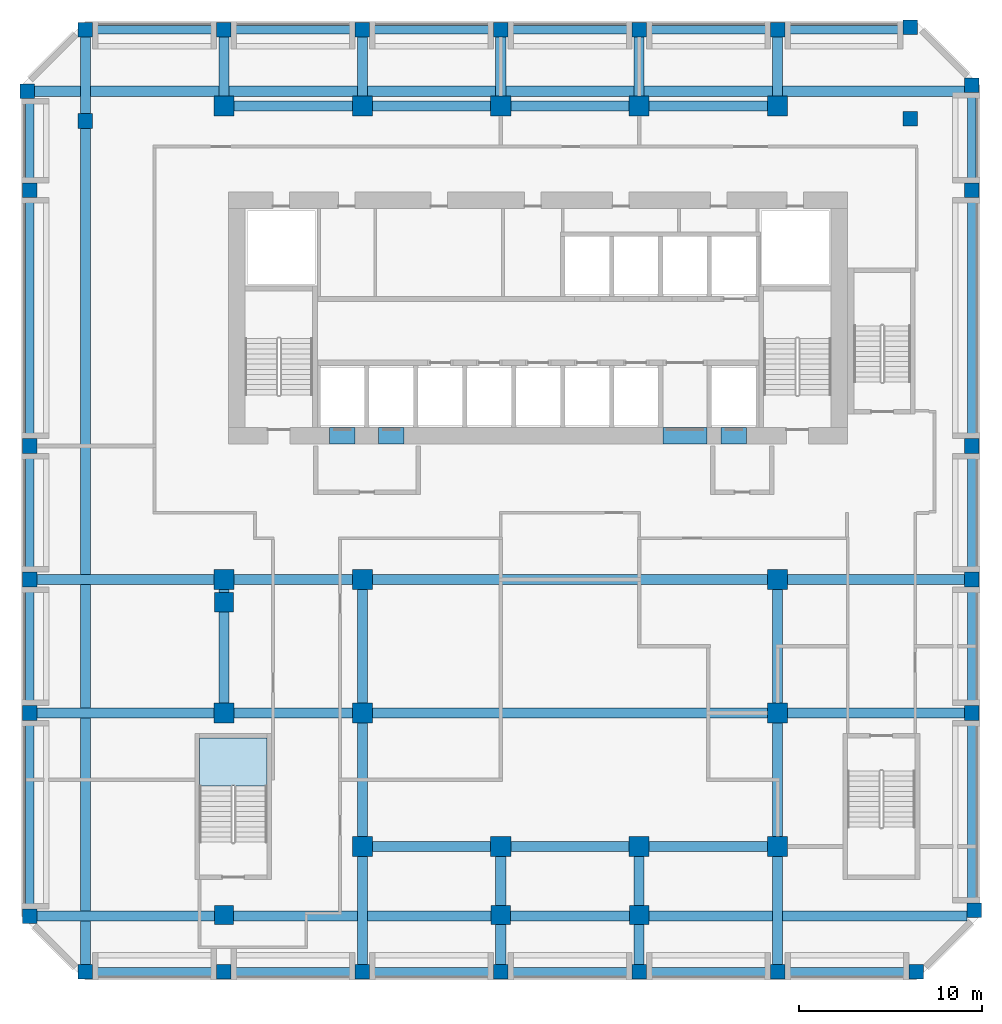
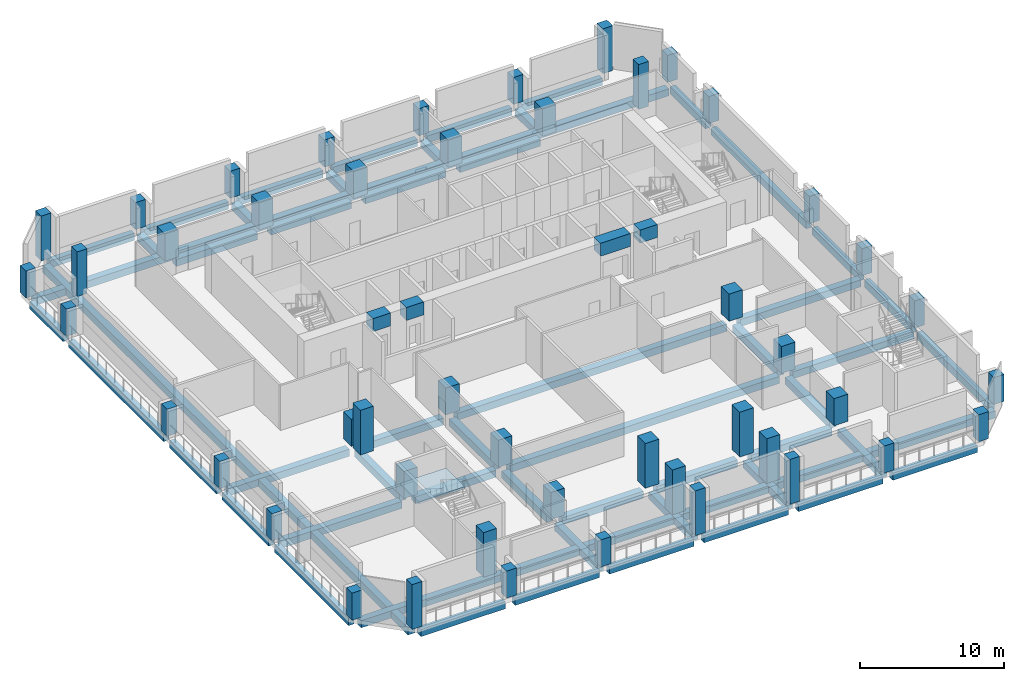
# One storey, part 1 of 10: 58 beams, 47 columns, 1 slab, 1 element without a shape of its own.
"""IFC4 building model written with IfcOpenShell, lengths in metres."""

from ifc_helpers import new_model, si_unit, direction, frame, origin, origin_2d, place, context, subcontext, project, spatial, polyline, rectangle, outline, extrude, source, transform, mapped, material, layer, layer_set, material_profile, profile_set, type_object, element, aggregate, save


model = new_model("IFC4")

# Units and contexts
model_context = context("Model", 3, precision=1e-05, world=origin(), true_north=direction((0.0, 1.0)))
body_context = subcontext(model_context, "Body", "Model", "MODEL_VIEW")
ifc_project = project(units=[si_unit("LENGTHUNIT", "METRE"), si_unit("AREAUNIT", "SQUARE_METRE"), si_unit("VOLUMEUNIT", "CUBIC_METRE"), si_unit("PLANEANGLEUNIT", "RADIAN"), si_unit("MASSUNIT", "GRAM", prefix="KILO")], contexts=[model_context])

# Site, building, storey
site_placement = place(None, origin())
site = spatial("IfcSite", under=ifc_project, at=site_placement, CompositionType="ELEMENT")
building_placement = place(site_placement, origin())
building = spatial("IfcBuilding", under=site, at=building_placement, Name="Kilnfold Tower and Market Hall", CompositionType="ELEMENT")
storey_placement = place(building_placement, frame((0.0, 0.0, 164.300048828125)))
storey = spatial("IfcBuildingStorey", under=building, at=storey_placement, Name="L38 Plant Transfer Level", CompositionType="ELEMENT", Elevation=164.300048828125)

# Columns
ifc_material_1 = material(Name="Concrete C70", Category="concrete")
ifc_material_profile_1 = material_profile(ifc_material_1, rectangle(XDim=0.800048828125, YDim=0.800048828125, at=origin_2d()), Name="RC 800x800")
ifc_profile_set_1 = profile_set([ifc_material_profile_1], Name="Concrete C70")
column_type_1 = type_object("IfcColumnType", Name="COLUMN 800X800 C70", PredefinedType="COLUMN", material=ifc_profile_set_1)
shared_shape_1 = source(origin(), body_context, "Body", "SweptSolid", [
    extrude(rectangle(XDim=0.800048828125, YDim=0.800048828125, at=origin_2d()), origin(), (0.0, 0.0, 1.0), 2.300048828125),
])
for number, where, z_axis, x_axis, name in (
    (1, (-26.931884765625, 27.431884765625, 0.0), (0.0, 0.0, 1.0), (1.0, 0.0, 0.0), "Column C-B4-1I"),
    (2, (-26.800048828125, -17.75, 0.0), (0.0, 0.0, 1.0), (1.0, 0.0, 0.0), "Column C-B4-1B"),
    (3, (-26.800048828125, -6.625, 0.0), (0.0, 0.0, 1.0), (1.0, 0.0, 0.0), "Column C-B4-1D"),
    (4, (-26.800048828125, 0.6875, 0.0), (0.0, 0.0, 1.0), (1.0, 0.0, 0.0), "Column C-B4-1E"),
    (5, (-26.800048828125, 8.0, 0.0), (0.0, 0.0, 1.0), (1.0, 0.0, 0.0), "Column C-B4-1F"),
    (6, (-26.800048828125, 22.0, 0.0), (0.0, 0.0, 1.0), (1.0, 0.0, 0.0), "Column C-B4-1G"),
    (7, (-16.166748046875, -20.800048828125, 0.0), (0.0, 0.0, 1.0), (1.0, 0.0, 0.0), "Column C-B4-3A"),
    (8, (-16.166748046875, 30.800048828125, 0.0), (0.0, 0.0, 1.0), (1.0, 0.0, 0.0), "Column C-B4-3J"),
    (9, (-8.583251953125, -20.800048828125, 0.0), (0.0, 0.0, 1.0), (1.0, 0.0, 0.0), "Column C-B4-4A"),
    (10, (-8.583251953125, 30.800048828125, 0.0), (0.0, 0.0, 1.0), (1.0, 0.0, 0.0), "Column C-B4-4J"),
    (11, (-1.0, 30.800048828125, 0.0), (0.0, 0.0, 1.0), (1.0, 0.0, 0.0), "Column C-B4-5J"),
    (12, (6.583251953125, 30.800048828125, 0.0), (0.0, 0.0, 1.0), (1.0, 0.0, 0.0), "Column C-B4-6J"),
    (13, (14.166748046875, -20.800048828125, 0.0), (0.0, 0.0, 1.0), (1.0, 0.0, 0.0), "Column C-B4-7A"),
    (14, (14.166748046875, 30.800048828125, 0.0), (0.0, 0.0, 1.0), (1.0, 0.0, 0.0), "Column C-B4-7J"),
    (15, (21.75, -20.800048828125, 0.0), (0.0, 0.0, 1.0), (1.0, 0.0, 0.0), "Column C-B4-8A"),
    (16, (24.800048828125, -6.625, 0.0), (0.0, 0.0, 1.0), (1.0, 0.0, 0.0), "Column C-B4-9D"),
    (17, (24.800048828125, 0.6875, 0.0), (0.0, 0.0, 1.0), (1.0, 0.0, 0.0), "Column C-B4-9E"),
    (18, (24.800048828125, 8.0, 0.0), (0.0, 0.0, 1.0), (1.0, 0.0, 0.0), "Column C-B4-9F"),
    (19, (24.800048828125, 22.0, 0.0), (0.0, 0.0, 1.0), (1.0, 0.0, 0.0), "Column C-B4-9G"),
    (20, (24.800048828125, 27.75, 0.0), (0.0, 0.0, 1.0), (1.0, 0.0, 0.0), "Column C-B4-9I"),
    (21, (24.931884765625, -17.431884765625, 0.0), (0.0, 0.0, 1.0), (1.0, 0.0, 0.0), "Column C-B4-9B"),
):
    element("IfcColumn", number, at=place(storey_placement, frame(where, z_axis=z_axis, x_axis=x_axis)), inside=storey, type_object=column_type_1, Name=name, PredefinedType="COLUMN", context=body_context, shape_type="MappedRepresentation", body=[
        mapped(shared_shape_1, transform((0.0, 0.0, 0.0))),
    ])
shared_shape_2 = source(origin(), body_context, "Body", "SweptSolid", [
    extrude(rectangle(XDim=0.800048828125, YDim=0.800048828125, at=origin_2d()), origin(), (0.0, 0.0, 1.0), 3.800048828125),
])
for number, where, z_axis, x_axis, name in (
    (22, (-23.75, -20.800048828125, 0.0), (0.0, 0.0, 1.0), (1.0, 0.0, 0.0), "Column C-B4-2A"),
    (23, (-23.75, 30.800048828125, 0.0), (0.0, 0.0, 1.0), (1.0, 0.0, 0.0), "Column C-B4-2J"),
    (24, (-1.0, -20.800048828125, 0.0), (0.0, 0.0, 1.0), (1.0, 0.0, 0.0), "Column C-B4-5A"),
    (25, (6.583251953125, -20.800048828125, 0.0), (0.0, 0.0, 1.0), (1.0, 0.0, 0.0), "Column C-B4-6A"),
    (26, (21.431884765625, 30.931884765625, 0.0), (0.0, 0.0, 1.0), (1.0, 0.0, 0.0), "Column C-B4-8J"),
    (27, (-23.75, 25.800048828125, 0.0), (0.0, 0.0, 1.0), (1.0, 0.0, 0.0), "Column C-B5-2I"),
    (28, (21.431884765625, 25.931884765625, 0.0), (0.0, 0.0, 1.0), (1.0, 0.0, 0.0), "Column C-B5-8I"),
):
    element("IfcColumn", number, at=place(storey_placement, frame(where, z_axis=z_axis, x_axis=x_axis)), inside=storey, type_object=column_type_1, Name=name, PredefinedType="COLUMN", context=body_context, shape_type="MappedRepresentation", body=[
        mapped(shared_shape_2, transform((0.0, 0.0, 0.0))),
    ])
ifc_material_2 = material(Name="Concrete C70", Category="concrete")
ifc_material_profile_2 = material_profile(ifc_material_2, rectangle(XDim=1.10009765625, YDim=1.10009765625, at=origin_2d()), Name="RC 1100x1100")
ifc_profile_set_2 = profile_set([ifc_material_profile_2], Name="Concrete C70")
column_type_2 = type_object("IfcColumnType", Name="COLUMN 1100X1100 C70", PredefinedType="COLUMN", material=ifc_profile_set_2)
shared_shape_3 = source(origin(), body_context, "Body", "SweptSolid", [
    extrude(rectangle(XDim=1.10009765625, YDim=1.10009765625, at=origin_2d()), origin(), (0.0, 0.0, 1.0), 2.300048828125),
])
for number, where, z_axis, x_axis, name in (
    (29, (-16.166748046875, -6.625, 0.0), (0.0, 0.0, 1.0), (1.0, 0.0, 0.0), "Column C-B4-3D"),
    (30, (-16.166748046875, 0.6875, 0.0), (0.0, 0.0, 1.0), (1.0, 0.0, 0.0), "Column C-B4-3E"),
    (31, (-16.166748046875, 26.625, 0.0), (0.0, 0.0, 1.0), (1.0, 0.0, 0.0), "Column C-B4-3H"),
    (32, (-8.583251953125, -13.9375, 0.0), (0.0, 0.0, 1.0), (1.0, 0.0, 0.0), "Column C-B4-4C"),
    (33, (-8.583251953125, -6.625, 0.0), (0.0, 0.0, 1.0), (1.0, 0.0, 0.0), "Column C-B4-4D"),
    (34, (-8.583251953125, 0.6875, 0.0), (0.0, 0.0, 1.0), (1.0, 0.0, 0.0), "Column C-B4-4E"),
    (35, (-8.583251953125, 26.625, 0.0), (0.0, 0.0, 1.0), (1.0, 0.0, 0.0), "Column C-B4-4H"),
    (36, (-1.0, 26.625, 0.0), (0.0, 0.0, 1.0), (1.0, 0.0, 0.0), "Column C-B4-5H"),
    (37, (6.583251953125, 26.625, 0.0), (0.0, 0.0, 1.0), (1.0, 0.0, 0.0), "Column C-B4-6H"),
    (38, (14.166748046875, -13.9375, 0.0), (0.0, 0.0, 1.0), (1.0, 0.0, 0.0), "Column C-B4-7C"),
    (39, (14.166748046875, -6.625, 0.0), (0.0, 0.0, 1.0), (1.0, 0.0, 0.0), "Column C-B4-7D"),
    (40, (14.166748046875, 0.6875, 0.0), (0.0, 0.0, 1.0), (1.0, 0.0, 0.0), "Column C-B4-7E"),
    (41, (14.166748046875, 26.625, 0.0), (0.0, 0.0, 1.0), (1.0, 0.0, 0.0), "Column C-B4-7H"),
):
    element("IfcColumn", number, at=place(storey_placement, frame(where, z_axis=z_axis, x_axis=x_axis)), inside=storey, type_object=column_type_2, Name=name, PredefinedType="COLUMN", context=body_context, shape_type="MappedRepresentation", body=[
        mapped(shared_shape_3, transform((0.0, 0.0, 0.0))),
    ])
shared_shape_4 = source(origin(), body_context, "Body", "SweptSolid", [
    extrude(rectangle(XDim=1.10009765625, YDim=1.10009765625, at=origin_2d()), origin(), (0.0, 0.0, 1.0), 3.800048828125),
])
for number, where, z_axis, x_axis, name in (
    (42, (-1.0, -13.9375, 0.0), (0.0, 0.0, 1.0), (1.0, 0.0, 0.0), "Column C-B4-5C"),
    (43, (6.583251953125, -13.9375, 0.0), (0.0, 0.0, 1.0), (1.0, 0.0, 0.0), "Column C-B4-6C"),
):
    element("IfcColumn", number, at=place(storey_placement, frame(where, z_axis=z_axis, x_axis=x_axis)), inside=storey, type_object=column_type_2, Name=name, PredefinedType="COLUMN", context=body_context, shape_type="MappedRepresentation", body=[
        mapped(shared_shape_4, transform((0.0, 0.0, 0.0))),
    ])
ifc_material_3 = material(Name="Concrete C70", Category="concrete")
ifc_material_profile_3 = material_profile(ifc_material_3, rectangle(XDim=1.050048828125, YDim=1.050048828125, at=origin_2d()), Name="RC 1050x1050")
ifc_profile_set_3 = profile_set([ifc_material_profile_3], Name="Concrete C70")
column_type_3 = type_object("IfcColumnType", Name="COLUMN 1050X1050 C70", PredefinedType="COLUMN", material=ifc_profile_set_3)
shared_shape_5 = source(origin(), body_context, "Body", "SweptSolid", [
    extrude(rectangle(XDim=1.050048828125, YDim=1.050048828125, at=origin_2d()), origin(), (0.0, 0.0, 1.0), 3.800048828125),
])
for number, where, z_axis, x_axis, name in (
    (44, (-16.166748046875, -17.6875, 0.0), (0.0, 0.0, 1.0), (1.0, 0.0, 0.0), "Column C-B5-3C"),
    (45, (-16.166748046875, -0.5625, 0.0), (0.0, 0.0, 1.0), (1.0, 0.0, 0.0), "Column C-B5-3E"),
    (46, (-1.0, -17.6875, 0.0), (0.0, 0.0, 1.0), (1.0, 0.0, 0.0), "Column C-B5-5C"),
    (47, (6.583251953125, -17.6875, 0.0), (0.0, 0.0, 1.0), (1.0, 0.0, 0.0), "Column C-B5-6C"),
):
    element("IfcColumn", number, at=place(storey_placement, frame(where, z_axis=z_axis, x_axis=x_axis)), inside=storey, type_object=column_type_3, Name=name, PredefinedType="COLUMN", context=body_context, shape_type="MappedRepresentation", body=[
        mapped(shared_shape_5, transform((0.0, 0.0, 0.0))),
    ])

# Beams
ifc_material_4 = material(Name="Concrete C45", Category="concrete")
ifc_material_profile_4 = material_profile(ifc_material_4, rectangle(XDim=0.449951171875, YDim=0.60009765625, at=origin_2d()), Name="RC 450x600")
ifc_profile_set_4 = profile_set([ifc_material_profile_4], Name="Concrete C45")
beam_type_1 = type_object("IfcBeamType", Name="EDGE BEAM 450X600 C45", PredefinedType="BEAM", material=ifc_profile_set_4)
shared_shape_6 = source(origin(), body_context, "Body", "SweptSolid", [
    extrude(rectangle(XDim=0.449951171875, YDim=0.60009765625, at=origin_2d()), origin(), (0.0, 0.0, 1.0), 6.783447265625),
])
for number, where, z_axis, x_axis, name in (
    (48, (-23.35009765625, -20.800048828125, -0.699951171875), (1.0, 0.0, 0.0), (0.0, 1.0, 0.0), "Beam EB600-B4.76"),
    (49, (-8.183349609375, -20.800048828125, -0.699951171875), (1.0, 0.0, 0.0), (0.0, 1.0, 0.0), "Beam EB600-B4.78"),
    (50, (-0.60009765625, -20.800048828125, -0.699951171875), (1.0, 0.0, 0.0), (0.0, 1.0, 0.0), "Beam EB600-B4.79"),
    (51, (14.566650390625, -20.800048828125, -0.699951171875), (1.0, 0.0, 0.0), (0.0, 1.0, 0.0), "Beam EB600-B4.81"),
    (52, (-23.35009765625, 30.800048828125, -0.699951171875), (1.0, 0.0, 0.0), (0.0, 1.0, 0.0), "Beam EB600-B4.88"),
    (53, (-8.183349609375, 30.800048828125, -0.699951171875), (1.0, 0.0, 0.0), (0.0, 1.0, 0.0), "Beam EB600-B4.90"),
    (54, (-0.60009765625, 30.800048828125, -0.699951171875), (1.0, 0.0, 0.0), (0.0, 1.0, 0.0), "Beam EB600-B4.91"),
):
    element("IfcBeam", number, at=place(storey_placement, frame(where, z_axis=z_axis, x_axis=x_axis)), inside=storey, type_object=beam_type_1, Name=name, PredefinedType="BEAM", context=body_context, shape_type="MappedRepresentation", body=[
        mapped(shared_shape_6, transform((0.0, 0.0, 0.0))),
    ])
shared_shape_7 = source(origin(), body_context, "Body", "SweptSolid", [
    extrude(rectangle(XDim=0.449951171875, YDim=0.60009765625, at=origin_2d()), origin(), (0.0, 0.0, 1.0), 6.783203125),
])
for number, where, z_axis, x_axis, name in (
    (55, (-15.7666015625, -20.800048828125, -0.699951171875), (1.0, 0.0, 0.0), (0.0, 1.0, 0.0), "Beam EB600-B4.77"),
    (56, (6.9833984375, -20.800048828125, -0.699951171875), (1.0, 0.0, 0.0), (0.0, 1.0, 0.0), "Beam EB600-B4.80"),
    (57, (-15.7666015625, 30.800048828125, -0.699951171875), (1.0, 0.0, 0.0), (0.0, 1.0, 0.0), "Beam EB600-B4.89"),
    (58, (6.9833984375, 30.800048828125, -0.699951171875), (1.0, 0.0, 0.0), (0.0, 1.0, 0.0), "Beam EB600-B4.92"),
):
    element("IfcBeam", number, at=place(storey_placement, frame(where, z_axis=z_axis, x_axis=x_axis)), inside=storey, type_object=beam_type_1, Name=name, PredefinedType="BEAM", context=body_context, shape_type="MappedRepresentation", body=[
        mapped(shared_shape_7, transform((0.0, 0.0, 0.0))),
    ])
ifc_material_5 = material(Name="Concrete C45", Category="concrete")
ifc_material_profile_5 = material_profile(ifc_material_5, rectangle(XDim=0.550048828125, YDim=0.60009765625, at=origin_2d()), Name="RC 550x600")
ifc_profile_set_5 = profile_set([ifc_material_profile_5], Name="Concrete C45")
beam_type_2 = type_object("IfcBeamType", Name="BEAM 550X600 C45", PredefinedType="BEAM", material=ifc_profile_set_5)
shared_shape_8 = source(origin(), body_context, "Body", "SweptSolid", [
    extrude(rectangle(XDim=0.550048828125, YDim=0.60009765625, at=origin_2d()), origin(), (0.0, 0.0, 1.0), 50.931640625),
])
for number, where, z_axis, x_axis, name in (
    (59, (-26.39990234375, -17.75, -0.699951171875), (1.0, 0.0, 0.0), (0.0, 1.0, 0.0), "Beam BB600-B4.82"),
    (60, (-26.53173828125, 27.429931640625, -0.699951171875), (1.0, 0.0, 0.0), (0.0, 1.0, 0.0), "Beam BB600-B4.87"),
):
    element("IfcBeam", number, at=place(storey_placement, frame(where, z_axis=z_axis, x_axis=x_axis)), inside=storey, type_object=beam_type_2, Name=name, PredefinedType="BEAM", context=body_context, shape_type="MappedRepresentation", body=[
        mapped(shared_shape_8, transform((0.0, 0.0, 0.0))),
    ])
shared_shape_9 = source(origin(), body_context, "Body", "SweptSolid", [
    extrude(rectangle(XDim=0.550048828125, YDim=0.60009765625, at=origin_2d()), origin(), (0.0, 0.0, 1.0), 9.68310546875),
])
for number, where, z_axis, x_axis, name in (
    (61, (-26.39990234375, -6.6201171875, -0.699951171875), (1.0, 0.0, 0.0), (0.0, 1.0, 0.0), "Beam BB600-B4.83"),
    (62, (14.716796875, -6.6201171875, -0.699951171875), (1.0, 0.0, 0.0), (0.0, 1.0, 0.0), "Beam BB600-B4.84"),
    (63, (-26.39990234375, 0.68994140625, -0.699951171875), (1.0, 0.0, 0.0), (0.0, 1.0, 0.0), "Beam BB600-B4.85"),
    (64, (14.716796875, 0.68994140625, -0.699951171875), (1.0, 0.0, 0.0), (0.0, 1.0, 0.0), "Beam BB600-B4.86"),
):
    element("IfcBeam", number, at=place(storey_placement, frame(where, z_axis=z_axis, x_axis=x_axis)), inside=storey, type_object=beam_type_2, Name=name, PredefinedType="BEAM", context=body_context, shape_type="MappedRepresentation", body=[
        mapped(shared_shape_9, transform((0.0, 0.0, 0.0))),
    ])
shared_shape_10 = source(origin(), body_context, "Body", "SweptSolid", [
    extrude(rectangle(XDim=0.449951171875, YDim=0.60009765625, at=origin_2d()), origin(), (0.0, 0.0, 1.0), 6.465087890625),
])
beam_1_placement = place(storey_placement, frame((14.566650390625, 30.800048828125, -0.699951171875), z_axis=(1.0, 0.0, 0.0), x_axis=(0.0, 1.0, 0.0)))
element("IfcBeam", 65, at=beam_1_placement, inside=storey, type_object=beam_type_1, Name="Beam EB600-B4.93", PredefinedType="BEAM", context=body_context, shape_type="MappedRepresentation", body=[
    mapped(shared_shape_10, transform((0.0, 0.0, 0.0))),
])
shared_shape_11 = source(origin(), body_context, "Body", "SweptSolid", [
    extrude(rectangle(XDim=0.449951171875, YDim=0.60009765625, at=origin_2d()), origin(), (0.0, 0.0, 1.0), 10.3251953125),
])
beam_2_placement = place(storey_placement, frame((-26.800048828125, -17.35009765625, -0.699951171875), z_axis=(0.0, 1.0, 0.0), x_axis=(-1.0, 0.0, 0.0)))
element("IfcBeam", 66, at=beam_2_placement, inside=storey, type_object=beam_type_1, Name="Beam EB600-B4.94", PredefinedType="BEAM", context=body_context, shape_type="MappedRepresentation", body=[
    mapped(shared_shape_11, transform((0.0, 0.0, 0.0))),
])
shared_shape_12 = source(origin(), body_context, "Body", "SweptSolid", [
    extrude(rectangle(XDim=0.449951171875, YDim=0.60009765625, at=origin_2d()), origin(), (0.0, 0.0, 1.0), 6.5126953125),
])
for number, where, z_axis, x_axis, name in (
    (67, (-26.800048828125, -6.22509765625, -0.699951171875), (0.0, 1.0, 0.0), (-1.0, 0.0, 0.0), "Beam EB600-B4.95"),
    (68, (-26.800048828125, 1.08740234375, -0.699951171875), (0.0, 1.0, 0.0), (-1.0, 0.0, 0.0), "Beam EB600-B4.96"),
    (69, (24.800048828125, -6.22509765625, -0.699951171875), (0.0, 1.0, 0.0), (-1.0, 0.0, 0.0), "Beam EB600-B4.101"),
    (70, (24.800048828125, 1.08740234375, -0.699951171875), (0.0, 1.0, 0.0), (-1.0, 0.0, 0.0), "Beam EB600-B4.102"),
):
    element("IfcBeam", number, at=place(storey_placement, frame(where, z_axis=z_axis, x_axis=x_axis)), inside=storey, type_object=beam_type_1, Name=name, PredefinedType="BEAM", context=body_context, shape_type="MappedRepresentation", body=[
        mapped(shared_shape_12, transform((0.0, 0.0, 0.0))),
    ])
shared_shape_13 = source(origin(), body_context, "Body", "SweptSolid", [
    extrude(rectangle(XDim=0.449951171875, YDim=0.60009765625, at=origin_2d()), origin(), (0.0, 0.0, 1.0), 13.2001953125),
])
for number, where, z_axis, x_axis, name in (
    (71, (-26.800048828125, 8.39990234375, -0.699951171875), (0.0, 1.0, 0.0), (-1.0, 0.0, 0.0), "Beam EB600-B4.97"),
    (72, (24.800048828125, 8.39990234375, -0.699951171875), (0.0, 1.0, 0.0), (-1.0, 0.0, 0.0), "Beam EB600-B4.103"),
):
    element("IfcBeam", number, at=place(storey_placement, frame(where, z_axis=z_axis, x_axis=x_axis)), inside=storey, type_object=beam_type_1, Name=name, PredefinedType="BEAM", context=body_context, shape_type="MappedRepresentation", body=[
        mapped(shared_shape_13, transform((0.0, 0.0, 0.0))),
    ])
shared_shape_14 = source(origin(), body_context, "Body", "SweptSolid", [
    extrude(rectangle(XDim=0.449951171875, YDim=0.60009765625, at=origin_2d()), origin(), (0.0, 0.0, 1.0), 4.6318359375),
])
beam_3_placement = place(storey_placement, frame((-26.800048828125, 22.39990234375, -0.699951171875), z_axis=(0.0, 1.0, 0.0), x_axis=(-1.0, 0.0, 0.0)))
element("IfcBeam", 73, at=beam_3_placement, inside=storey, type_object=beam_type_1, Name="Beam EB600-B4.98", PredefinedType="BEAM", context=body_context, shape_type="MappedRepresentation", body=[
    mapped(shared_shape_14, transform((0.0, 0.0, 0.0))),
])
shared_shape_15 = source(origin(), body_context, "Body", "SweptSolid", [
    extrude(rectangle(XDim=0.550048828125, YDim=0.60009765625, at=origin_2d()), origin(), (0.0, 0.0, 1.0), 50.7998046875),
])
beam_4_placement = place(storey_placement, frame((-23.75, -20.39990234375, -0.699951171875), z_axis=(0.0, 1.0, 0.0), x_axis=(-1.0, 0.0, 0.0)))
element("IfcBeam", 74, at=beam_4_placement, inside=storey, type_object=beam_type_2, Name="Beam BB600-B4.99", PredefinedType="BEAM", context=body_context, shape_type="MappedRepresentation", body=[
    mapped(shared_shape_15, transform((0.0, 0.0, 0.0))),
])
shared_shape_16 = source(origin(), body_context, "Body", "SweptSolid", [
    extrude(rectangle(XDim=0.449951171875, YDim=0.60009765625, at=origin_2d()), origin(), (0.0, 0.0, 1.0), 10.0068359375),
])
beam_5_placement = place(storey_placement, frame((24.800048828125, -17.03173828125, -0.699951171875), z_axis=(0.0, 1.0, 0.0), x_axis=(-1.0, 0.0, 0.0)))
element("IfcBeam", 75, at=beam_5_placement, inside=storey, type_object=beam_type_1, Name="Beam EB600-B4.100", PredefinedType="BEAM", context=body_context, shape_type="MappedRepresentation", body=[
    mapped(shared_shape_16, transform((0.0, 0.0, 0.0))),
])
shared_shape_17 = source(origin(), body_context, "Body", "SweptSolid", [
    extrude(rectangle(XDim=0.449951171875, YDim=0.60009765625, at=origin_2d()), origin(), (0.0, 0.0, 1.0), 4.9501953125),
])
beam_6_placement = place(storey_placement, frame((24.800048828125, 22.39990234375, -0.699951171875), z_axis=(0.0, 1.0, 0.0), x_axis=(-1.0, 0.0, 0.0)))
element("IfcBeam", 76, at=beam_6_placement, inside=storey, type_object=beam_type_1, Name="Beam EB600-B4.104", PredefinedType="BEAM", context=body_context, shape_type="MappedRepresentation", body=[
    mapped(shared_shape_17, transform((0.0, 0.0, 0.0))),
])
shared_shape_18 = source(origin(), body_context, "Body", "SweptSolid", [
    extrude(rectangle(XDim=0.550048828125, YDim=0.60009765625, at=origin_2d()), origin(), (0.0, 0.0, 1.0), 21.64990234375),
])
for number, where, z_axis, x_axis, name in (
    (77, (-8.033203125, -6.6201171875, -0.699951171875), (1.0, 0.0, 0.0), (0.0, 1.0, 0.0), "Beam BB600-B4.105"),
    (78, (-8.033203125, 0.68994140625, -0.699951171875), (1.0, 0.0, 0.0), (0.0, 1.0, 0.0), "Beam BB600-B4.106"),
):
    element("IfcBeam", number, at=place(storey_placement, frame(where, z_axis=z_axis, x_axis=x_axis)), inside=storey, type_object=beam_type_2, Name=name, PredefinedType="BEAM", context=body_context, shape_type="MappedRepresentation", body=[
        mapped(shared_shape_18, transform((0.0, 0.0, 0.0))),
    ])
ifc_material_6 = material(Name="Concrete C70", Category="concrete")
ifc_material_profile_6 = material_profile(ifc_material_6, rectangle(XDim=0.89990234375, YDim=1.10009765625, at=origin_2d()), Name="RC 900x1100")
ifc_profile_set_6 = profile_set([ifc_material_profile_6], Name="Concrete C70")
beam_type_3 = type_object("IfcBeamType", Name="COUPLING BEAM 900X1100 C70", PredefinedType="BEAM", material=ifc_profile_set_6)
shared_shape_19 = source(origin(), body_context, "Body", "SweptSolid", [
    extrude(rectangle(XDim=0.89990234375, YDim=1.10009765625, at=origin_2d()), origin(), (0.0, 0.0, 1.0), 1.400146484375),
])
beam_7_placement = place(storey_placement, frame((-10.3701171875, 8.550048828125, 3.25), z_axis=(1.0, 0.0, 0.0), x_axis=(0.0, 1.0, 0.0)))
element("IfcBeam", 79, at=beam_7_placement, inside=storey, type_object=beam_type_3, Name="Coupling beam CB1100-70-CORE.37", PredefinedType="BEAM", context=body_context, shape_type="MappedRepresentation", body=[
    mapped(shared_shape_19, transform((0.0, 0.0, 0.0))),
])
shared_shape_20 = source(origin(), body_context, "Body", "SweptSolid", [
    extrude(rectangle(XDim=0.89990234375, YDim=1.10009765625, at=origin_2d()), origin(), (0.0, 0.0, 1.0), 1.39990234375),
])
for number, where, z_axis, x_axis, name in (
    (80, (-7.68994140625, 8.550048828125, 3.25), (1.0, 0.0, 0.0), (0.0, 1.0, 0.0), "Coupling beam CB1100-70-CORE.38"),
    (81, (11.070068359375, 8.550048828125, 3.25), (1.0, 0.0, 0.0), (0.0, 1.0, 0.0), "Coupling beam CB1100-70-CORE.40"),
):
    element("IfcBeam", number, at=place(storey_placement, frame(where, z_axis=z_axis, x_axis=x_axis)), inside=storey, type_object=beam_type_3, Name=name, PredefinedType="BEAM", context=body_context, shape_type="MappedRepresentation", body=[
        mapped(shared_shape_20, transform((0.0, 0.0, 0.0))),
    ])
shared_shape_21 = source(origin(), body_context, "Body", "SweptSolid", [
    extrude(rectangle(XDim=0.89990234375, YDim=1.10009765625, at=origin_2d()), origin(), (0.0, 0.0, 1.0), 2.400146484375),
])
beam_8_placement = place(storey_placement, frame((7.889892578125, 8.550048828125, 3.25), z_axis=(1.0, 0.0, 0.0), x_axis=(0.0, 1.0, 0.0)))
element("IfcBeam", 82, at=beam_8_placement, inside=storey, type_object=beam_type_3, Name="Coupling beam CB1100-70-CORE.39", PredefinedType="BEAM", context=body_context, shape_type="MappedRepresentation", body=[
    mapped(shared_shape_21, transform((0.0, 0.0, 0.0))),
])
shared_shape_22 = source(origin(), body_context, "Body", "SweptSolid", [
    extrude(rectangle(XDim=0.550048828125, YDim=0.60009765625, at=origin_2d()), origin(), (0.0, 0.0, 1.0), 6.483154296875),
])
for number, where, z_axis, x_axis, name in (
    (83, (-8.033203125, -13.93994140625, -0.699951171875), (1.0, 0.0, 0.0), (0.0, 1.0, 0.0), "Beam BB600-B4.107"),
    (84, (-0.449951171875, -13.93994140625, -0.699951171875), (1.0, 0.0, 0.0), (0.0, 1.0, 0.0), "Beam BB600-B4.108"),
    (85, (-8.033203125, 26.6201171875, -0.699951171875), (1.0, 0.0, 0.0), (0.0, 1.0, 0.0), "Beam BB600-B4.113"),
    (86, (-0.449951171875, 26.6201171875, -0.699951171875), (1.0, 0.0, 0.0), (0.0, 1.0, 0.0), "Beam BB600-B4.114"),
):
    element("IfcBeam", number, at=place(storey_placement, frame(where, z_axis=z_axis, x_axis=x_axis)), inside=storey, type_object=beam_type_2, Name=name, PredefinedType="BEAM", context=body_context, shape_type="MappedRepresentation", body=[
        mapped(shared_shape_22, transform((0.0, 0.0, 0.0))),
    ])
shared_shape_23 = source(origin(), body_context, "Body", "SweptSolid", [
    extrude(rectangle(XDim=0.550048828125, YDim=0.60009765625, at=origin_2d()), origin(), (0.0, 0.0, 1.0), 6.4833984375),
])
for number, where, z_axis, x_axis, name in (
    (87, (7.13330078125, -13.93994140625, -0.699951171875), (1.0, 0.0, 0.0), (0.0, 1.0, 0.0), "Beam BB600-B4.109"),
    (88, (-15.61669921875, -6.6201171875, -0.699951171875), (1.0, 0.0, 0.0), (0.0, 1.0, 0.0), "Beam BB600-B4.110"),
    (89, (-15.61669921875, 0.68994140625, -0.699951171875), (1.0, 0.0, 0.0), (0.0, 1.0, 0.0), "Beam BB600-B4.111"),
    (90, (-15.61669921875, 26.6201171875, -0.699951171875), (1.0, 0.0, 0.0), (0.0, 1.0, 0.0), "Beam BB600-B4.112"),
    (91, (7.13330078125, 26.6201171875, -0.699951171875), (1.0, 0.0, 0.0), (0.0, 1.0, 0.0), "Beam BB600-B4.115"),
):
    element("IfcBeam", number, at=place(storey_placement, frame(where, z_axis=z_axis, x_axis=x_axis)), inside=storey, type_object=beam_type_2, Name=name, PredefinedType="BEAM", context=body_context, shape_type="MappedRepresentation", body=[
        mapped(shared_shape_23, transform((0.0, 0.0, 0.0))),
    ])
shared_shape_24 = source(origin(), body_context, "Body", "SweptSolid", [
    extrude(rectangle(XDim=0.550048828125, YDim=0.60009765625, at=origin_2d()), origin(), (0.0, 0.0, 1.0), 6.21240234375),
])
for number, where, z_axis, x_axis, name in (
    (92, (-16.169921875, -6.074951171875, -0.699951171875), (0.0, 1.0, 0.0), (-1.0, 0.0, 0.0), "Beam BB600-B4.116"),
    (93, (-8.580078125, -13.387451171875, -0.699951171875), (0.0, 1.0, 0.0), (-1.0, 0.0, 0.0), "Beam BB600-B4.119"),
    (94, (-8.580078125, -6.074951171875, -0.699951171875), (0.0, 1.0, 0.0), (-1.0, 0.0, 0.0), "Beam BB600-B4.120"),
    (95, (14.169921875, -13.387451171875, -0.699951171875), (0.0, 1.0, 0.0), (-1.0, 0.0, 0.0), "Beam BB600-B4.127"),
    (96, (14.169921875, -6.074951171875, -0.699951171875), (0.0, 1.0, 0.0), (-1.0, 0.0, 0.0), "Beam BB600-B4.128"),
):
    element("IfcBeam", number, at=place(storey_placement, frame(where, z_axis=z_axis, x_axis=x_axis)), inside=storey, type_object=beam_type_2, Name=name, PredefinedType="BEAM", context=body_context, shape_type="MappedRepresentation", body=[
        mapped(shared_shape_24, transform((0.0, 0.0, 0.0))),
    ])
shared_shape_25 = source(origin(), body_context, "Body", "SweptSolid", [
    extrude(rectangle(XDim=0.550048828125, YDim=0.60009765625, at=origin_2d()), origin(), (0.0, 0.0, 1.0), 3.224853515625),
])
for number, where, z_axis, x_axis, name in (
    (97, (-16.169921875, 27.175048828125, -0.699951171875), (0.0, 1.0, 0.0), (-1.0, 0.0, 0.0), "Beam BB600-B4.117"),
    (98, (-8.580078125, 27.175048828125, -0.699951171875), (0.0, 1.0, 0.0), (-1.0, 0.0, 0.0), "Beam BB600-B4.121"),
    (99, (-1.0, 27.175048828125, -0.699951171875), (0.0, 1.0, 0.0), (-1.0, 0.0, 0.0), "Beam BB600-B4.123"),
    (100, (6.580078125, 27.175048828125, -0.699951171875), (0.0, 1.0, 0.0), (-1.0, 0.0, 0.0), "Beam BB600-B4.125"),
    (101, (14.169921875, 27.175048828125, -0.699951171875), (0.0, 1.0, 0.0), (-1.0, 0.0, 0.0), "Beam BB600-B4.129"),
):
    element("IfcBeam", number, at=place(storey_placement, frame(where, z_axis=z_axis, x_axis=x_axis)), inside=storey, type_object=beam_type_2, Name=name, PredefinedType="BEAM", context=body_context, shape_type="MappedRepresentation", body=[
        mapped(shared_shape_25, transform((0.0, 0.0, 0.0))),
    ])
shared_shape_26 = source(origin(), body_context, "Body", "SweptSolid", [
    extrude(rectangle(XDim=0.550048828125, YDim=0.60009765625, at=origin_2d()), origin(), (0.0, 0.0, 1.0), 5.912353515625),
])
for number, where, z_axis, x_axis, name in (
    (102, (-8.580078125, -20.39990234375, -0.699951171875), (0.0, 1.0, 0.0), (-1.0, 0.0, 0.0), "Beam BB600-B4.118"),
    (103, (-1.0, -20.39990234375, -0.699951171875), (0.0, 1.0, 0.0), (-1.0, 0.0, 0.0), "Beam BB600-B4.122"),
    (104, (6.580078125, -20.39990234375, -0.699951171875), (0.0, 1.0, 0.0), (-1.0, 0.0, 0.0), "Beam BB600-B4.124"),
    (105, (14.169921875, -20.39990234375, -0.699951171875), (0.0, 1.0, 0.0), (-1.0, 0.0, 0.0), "Beam BB600-B4.126"),
):
    element("IfcBeam", number, at=place(storey_placement, frame(where, z_axis=z_axis, x_axis=x_axis)), inside=storey, type_object=beam_type_2, Name=name, PredefinedType="BEAM", context=body_context, shape_type="MappedRepresentation", body=[
        mapped(shared_shape_26, transform((0.0, 0.0, 0.0))),
    ])

# Stair, slab
ifc_material_7 = material(Name="Concrete C40/50", Category="concrete")
stair_type = type_object("IfcStairType", Name="CORE STAIR 1800", PredefinedType="HALF_TURN_STAIR", material=ifc_material_7)
stair_placement = place(storey_placement, origin())
stair = element("IfcStair", 106, at=stair_placement, inside=storey, type_object=stair_type, Name="L38 Plant Transfer Level ST3", PredefinedType="HALF_TURN_STAIR")
ifc_material_8 = material(Name="Concrete C40/50", Category="concrete")
ifc_layer = layer(ifc_material_8, 0.199951171875)
ifc_layer_set = layer_set([ifc_layer], Name="Concrete C40/50")
slab_type = type_object("IfcSlabType", Name="CORE STAIR LANDING 200", PredefinedType="LANDING", material=ifc_layer_set)
shared_shape_27 = source(origin(), body_context, "Body", "SweptSolid", [
    extrude(outline(polyline([(-13.800048828125, -10.6201171875), (-13.800048828125, -8.0), (-17.5, -8.0), (-17.5, -10.6201171875), (-13.800048828125, -10.6201171875)])), origin(), (0.0, 0.0, 1.0), 0.199951171875),
])
slab_placement = place(storey_placement, frame((0.0, 0.0, 1.89990234375)))
slab = element("IfcSlab", 107, at=slab_placement, type_object=slab_type, Name="ST3 landing 1", PredefinedType="LANDING", context=body_context, shape_type="MappedRepresentation", body=[
    mapped(shared_shape_27, transform((0.0, 0.0, 0.0))),
])
aggregate(stair, [slab])

save(model, "model.ifc")
